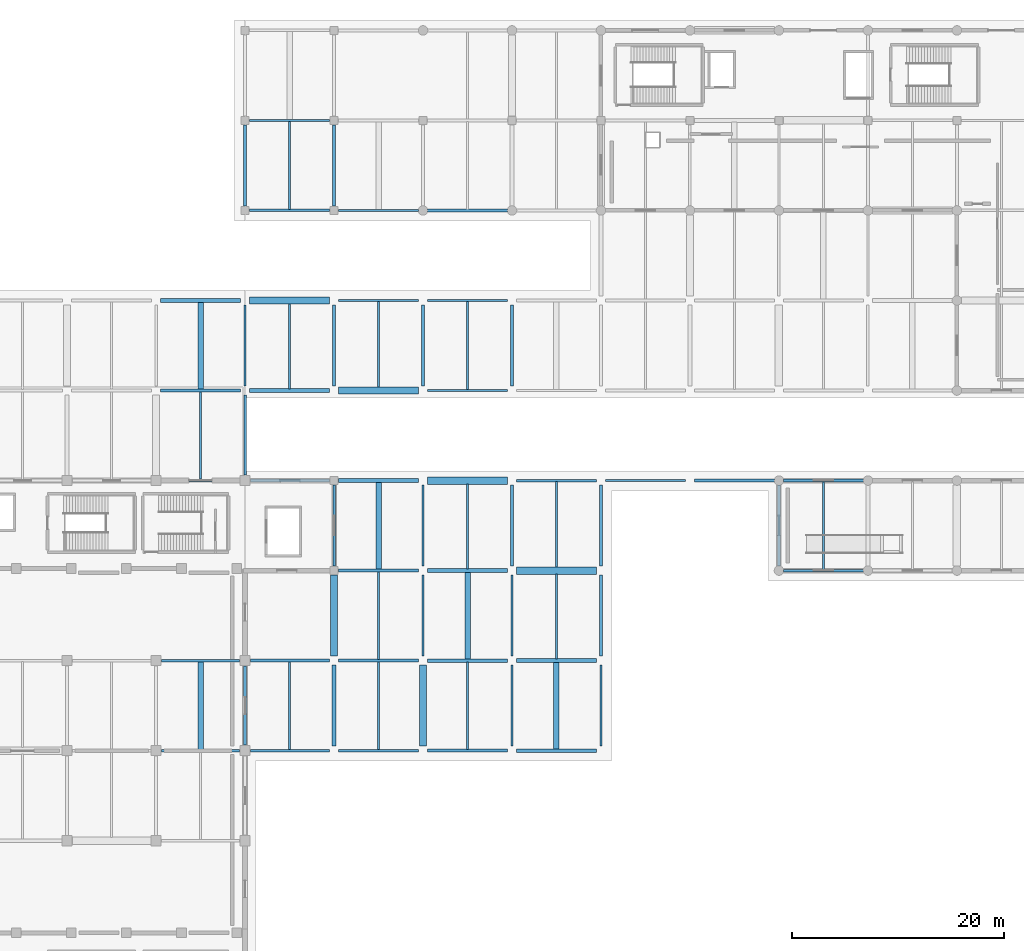
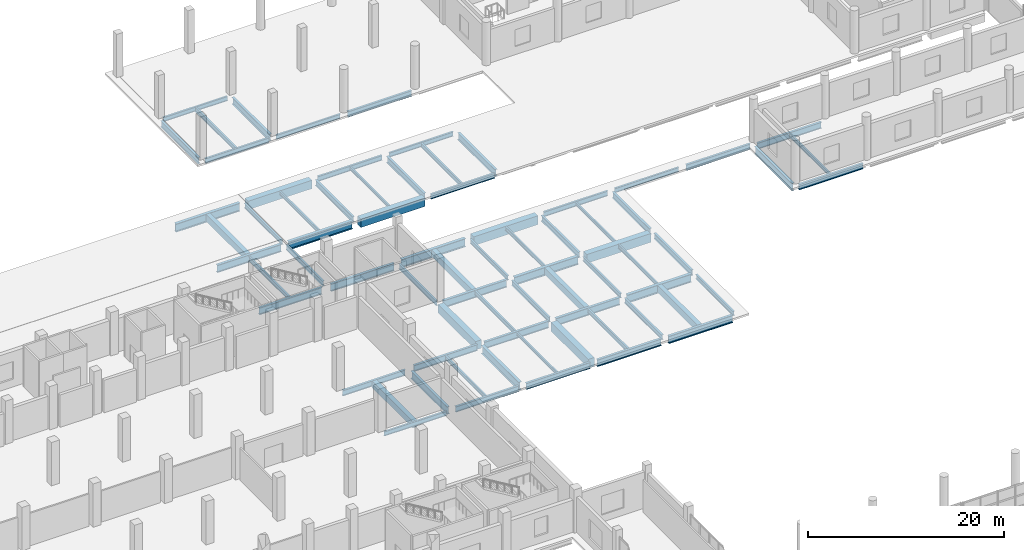
# One storey, part 60 of 107: 73 beams.
"""IFC4 building model written with IfcOpenShell, lengths in metres."""

from ifc_helpers import new_model, si_unit, direction, frame, origin, origin_2d, place, context, subcontext, project, spatial, rectangle, i_section, extrude, material, material_profile, profile_set, type_object, element, save


model = new_model("IFC4")

# Units and contexts
model_context = context("Model", 3, precision=1e-05, world=origin(), true_north=direction((0.0, 1.0)))
body_context = subcontext(model_context, "Body", "Model", "MODEL_VIEW")
ifc_project = project(units=[si_unit("LENGTHUNIT", "METRE"), si_unit("AREAUNIT", "SQUARE_METRE"), si_unit("VOLUMEUNIT", "CUBIC_METRE"), si_unit("PLANEANGLEUNIT", "RADIAN"), si_unit("MASSUNIT", "GRAM", prefix="KILO")], contexts=[model_context])

# Site, building, storey
site_placement = place(None, origin())
site = spatial("IfcSite", under=ifc_project, at=site_placement, CompositionType="ELEMENT")
building_placement = place(site_placement, origin())
building = spatial("IfcBuilding", under=site, at=building_placement, Name="Solvento Point Concert Hall", CompositionType="ELEMENT")
storey_placement = place(building_placement, origin())
storey = spatial("IfcBuildingStorey", under=building, at=storey_placement, Name="L00", CompositionType="ELEMENT", Elevation=0.0)

# Beams
ifc_material_1 = material(Name="Concrete C35/45", Category="concrete")
ifc_material_profile_1 = material_profile(ifc_material_1, rectangle(XDim=0.52001953125, YDim=0.840087890625, at=origin_2d()), Name="RC-BM-520X840")
ifc_profile_set_1 = profile_set([ifc_material_profile_1], Name="Concrete C35/45")
beam_type_1 = type_object("IfcBeamType", Name="Beam_RC_520x840", PredefinedType="BEAM", material=ifc_profile_set_1)
beam_1_placement = place(storey_placement, frame((129.0, 68.092041015625, -0.85400390625), z_axis=(0.0, 1.0, 0.0), x_axis=(-1.0, 0.0, 0.0)))
element("IfcBeam", 1, at=beam_1_placement, inside=storey, type_object=beam_type_1, Name="Secondary floor joist B-54 L00", PredefinedType="BEAM", context=body_context, shape_type="SweptSolid", body=[
    extrude(rectangle(XDim=0.52001953125, YDim=0.840087890625, at=origin_2d()), origin(), (0.0, 0.0, 1.0), 8.294921875),
])
for number, where, z_axis, x_axis, name in (
    (2, (129.0, 102.138916015625, -0.6640625), (0.0, 1.0, 0.0), (-1.0, 0.0, 0.0), "Secondary floor joist B-54 L00"),
    (3, (145.800048828125, 85.138916015625, -0.6640625), (0.0, 1.0, 0.0), (-1.0, 0.0, 0.0), "Secondary floor joist B-54 L00"),
    (4, (154.199951171875, 76.638916015625, -0.6640625), (0.0, 1.0, 0.0), (-1.0, 0.0, 0.0), "Secondary floor joist B-54 L00"),
    (5, (162.60009765625, 68.138916015625, -0.6640625), (0.0, 1.0, 0.0), (-1.0, 0.0, 0.0), "Secondary floor joist B-54 L00"),
):
    element("IfcBeam", number, at=place(storey_placement, frame(where, z_axis=z_axis, x_axis=x_axis)), inside=storey, type_object=beam_type_1, Name=name, PredefinedType="BEAM", context=body_context, shape_type="SweptSolid", body=[
        extrude(rectangle(XDim=0.52001953125, YDim=0.840087890625, at=origin_2d()), origin(), (0.0, 0.0, 1.0), 8.195556640625),
    ])
ifc_material_2 = material(Name="Structural Steel ASTM A992 Grade 50", Category="steel")
ifc_material_profile_2 = material_profile(ifc_material_2, i_section(OverallWidth=0.20947265625, OverallDepth=0.532958984375, WebThickness=0.01025390625, FlangeThickness=0.015625, at=origin_2d()), Name="W21X62")
ifc_profile_set_2 = profile_set([ifc_material_profile_2], Name="Structural Steel ASTM A992 Grade 50")
beam_type_2 = type_object("IfcBeamType", Name="Beam_W21X62", PredefinedType="BEAM", material=ifc_profile_set_2)
beam_2_placement = place(storey_placement, frame((129.0, 93.631103515625, -0.700439453125), z_axis=(0.0, 1.0, 0.0), x_axis=(-1.0, 0.0, 0.0)))
element("IfcBeam", 6, at=beam_2_placement, inside=storey, type_object=beam_type_2, Name="Secondary floor joist B-25 L00", PredefinedType="BEAM", context=body_context, shape_type="SweptSolid", body=[
    extrude(i_section(OverallWidth=0.20947265625, OverallDepth=0.532958984375, WebThickness=0.01025390625, FlangeThickness=0.015625, at=origin_2d()), origin(), (0.0, 0.0, 1.0), 8.22998046875),
])
beam_3_placement = place(storey_placement, frame((137.39990234375, 119.09912109375, -0.510498046875), z_axis=(0.0, 1.0, 0.0), x_axis=(-1.0, 0.0, 0.0)))
element("IfcBeam", 7, at=beam_3_placement, inside=storey, type_object=beam_type_2, Name="Secondary floor joist B-25 L00", PredefinedType="BEAM", context=body_context, shape_type="SweptSolid", body=[
    extrude(i_section(OverallWidth=0.20947265625, OverallDepth=0.532958984375, WebThickness=0.01025390625, FlangeThickness=0.015625, at=origin_2d()), origin(), (0.0, 0.0, 1.0), 8.308837890625),
])
for number, where, z_axis, x_axis, name in (
    (8, (145.800048828125, 76.631103515625, -0.510498046875), (0.0, 1.0, 0.0), (-1.0, 0.0, 0.0), "Secondary floor joist B-25 L00"),
    (9, (154.199951171875, 68.131103515625, -0.510498046875), (0.0, 1.0, 0.0), (-1.0, 0.0, 0.0), "Secondary floor joist B-25 L00"),
):
    element("IfcBeam", number, at=place(storey_placement, frame(where, z_axis=z_axis, x_axis=x_axis)), inside=storey, type_object=beam_type_2, Name=name, PredefinedType="BEAM", context=body_context, shape_type="SweptSolid", body=[
        extrude(i_section(OverallWidth=0.20947265625, OverallDepth=0.532958984375, WebThickness=0.01025390625, FlangeThickness=0.015625, at=origin_2d()), origin(), (0.0, 0.0, 1.0), 8.22998046875),
    ])
beam_4_placement = place(storey_placement, frame((154.199951171875, 102.09912109375, -0.510498046875), z_axis=(0.0, 1.0, 0.0), x_axis=(-1.0, 0.0, 0.0)))
element("IfcBeam", 10, at=beam_4_placement, inside=storey, type_object=beam_type_2, Name="Secondary floor joist B-25 L00", PredefinedType="BEAM", context=body_context, shape_type="SweptSolid", body=[
    extrude(i_section(OverallWidth=0.20947265625, OverallDepth=0.532958984375, WebThickness=0.01025390625, FlangeThickness=0.015625, at=origin_2d()), origin(), (0.0, 0.0, 1.0), 8.308837890625),
])
ifc_material_3 = material(Name="Structural Steel ASTM A992 Grade 50", Category="steel")
ifc_material_profile_3 = material_profile(ifc_material_3, i_section(OverallWidth=0.214111328125, OverallDepth=0.549072265625, WebThickness=0.0146484375, FlangeThickness=0.023681640625, at=origin_2d()), Name="W21X93")
ifc_profile_set_3 = profile_set([ifc_material_profile_3], Name="Structural Steel ASTM A992 Grade 50")
beam_type_3 = type_object("IfcBeamType", Name="Beam_W21X93", PredefinedType="BEAM", material=ifc_profile_set_3)
beam_5_placement = place(storey_placement, frame((125.2939453125, 68.0, -0.70849609375), z_axis=(1.0, 0.0, 0.0), x_axis=(0.0, 1.0, 0.0)))
element("IfcBeam", 11, at=beam_5_placement, inside=storey, type_object=beam_type_3, Name="Primary girder B-48 L00", PredefinedType="BEAM", context=body_context, shape_type="SweptSolid", body=[
    extrude(i_section(OverallWidth=0.214111328125, OverallDepth=0.549072265625, WebThickness=0.0146484375, FlangeThickness=0.023681640625, at=origin_2d()), origin(), (0.0, 0.0, 1.0), 7.386962890625),
])
beam_6_placement = place(storey_placement, frame((167.22412109375, 93.5, -0.5185546875), z_axis=(1.0, 0.0, 0.0), x_axis=(0.0, 1.0, 0.0)))
element("IfcBeam", 12, at=beam_6_placement, inside=storey, type_object=beam_type_3, Name="Primary girder B-48 L00", PredefinedType="BEAM", context=body_context, shape_type="SweptSolid", body=[
    extrude(i_section(OverallWidth=0.214111328125, OverallDepth=0.549072265625, WebThickness=0.0146484375, FlangeThickness=0.023681640625, at=origin_2d()), origin(), (0.0, 0.0, 1.0), 7.5517578125),
])
for number, where, z_axis, x_axis, name in (
    (13, (150.424072265625, 110.5, -0.5185546875), (1.0, 0.0, 0.0), (0.0, 1.0, 0.0), "Primary girder B-48 L00"),
    (14, (142.02392578125, 119.0, -0.5185546875), (1.0, 0.0, 0.0), (0.0, 1.0, 0.0), "Primary girder B-48 L00"),
    (15, (133.6240234375, 127.5, -0.5185546875), (1.0, 0.0, 0.0), (0.0, 1.0, 0.0), "Primary girder B-48 L00"),
):
    element("IfcBeam", number, at=place(storey_placement, frame(where, z_axis=z_axis, x_axis=x_axis)), inside=storey, type_object=beam_type_3, Name=name, PredefinedType="BEAM", context=body_context, shape_type="SweptSolid", body=[
        extrude(i_section(OverallWidth=0.214111328125, OverallDepth=0.549072265625, WebThickness=0.0146484375, FlangeThickness=0.023681640625, at=origin_2d()), origin(), (0.0, 0.0, 1.0), 7.552001953125),
    ])
for number, where, z_axis, x_axis, name in (
    (16, (133.199951171875, 102.424072265625, -0.5185546875), (0.0, 1.0, 0.0), (-1.0, 0.0, 0.0), "Primary girder B-48 L00"),
    (17, (150.0, 85.424072265625, -0.5185546875), (0.0, 1.0, 0.0), (-1.0, 0.0, 0.0), "Primary girder B-48 L00"),
    (18, (158.39990234375, 76.924072265625, -0.5185546875), (0.0, 1.0, 0.0), (-1.0, 0.0, 0.0), "Primary girder B-48 L00"),
    (19, (166.800048828125, 68.424072265625, -0.5185546875), (0.0, 1.0, 0.0), (-1.0, 0.0, 0.0), "Primary girder B-48 L00"),
):
    element("IfcBeam", number, at=place(storey_placement, frame(where, z_axis=z_axis, x_axis=x_axis)), inside=storey, type_object=beam_type_3, Name=name, PredefinedType="BEAM", context=body_context, shape_type="SweptSolid", body=[
        extrude(i_section(OverallWidth=0.214111328125, OverallDepth=0.549072265625, WebThickness=0.0146484375, FlangeThickness=0.023681640625, at=origin_2d()), origin(), (0.0, 0.0, 1.0), 7.65185546875),
    ])
ifc_material_4 = material(Name="Structural Steel ASTM A992 Grade 50", Category="steel")
ifc_material_profile_4 = material_profile(ifc_material_4, i_section(OverallWidth=0.228515625, OverallDepth=0.60791015625, WebThickness=0.01123046875, FlangeThickness=0.017333984375, at=origin_2d()), Name="W24X76")
ifc_profile_set_4 = profile_set([ifc_material_profile_4], Name="Structural Steel ASTM A992 Grade 50")
beam_type_4 = type_object("IfcBeamType", Name="Beam_W24X76", PredefinedType="BEAM", material=ifc_profile_set_4)
for number, where, z_axis, x_axis, name in (
    (20, (158.823974609375, 93.5, -0.548095703125), (1.0, 0.0, 0.0), (0.0, 1.0, 0.0), "Primary girder B-42 L00"),
    (21, (150.424072265625, 102.0, -0.548095703125), (1.0, 0.0, 0.0), (0.0, 1.0, 0.0), "Primary girder B-42 L00"),
    (22, (142.02392578125, 110.5, -0.548095703125), (1.0, 0.0, 0.0), (0.0, 1.0, 0.0), "Primary girder B-42 L00"),
    (23, (133.6240234375, 119.0, -0.548095703125), (1.0, 0.0, 0.0), (0.0, 1.0, 0.0), "Primary girder B-42 L00"),
):
    element("IfcBeam", number, at=place(storey_placement, frame(where, z_axis=z_axis, x_axis=x_axis)), inside=storey, type_object=beam_type_4, Name=name, PredefinedType="BEAM", context=body_context, shape_type="SweptSolid", body=[
        extrude(i_section(OverallWidth=0.228515625, OverallDepth=0.60791015625, WebThickness=0.01123046875, FlangeThickness=0.017333984375, at=origin_2d()), origin(), (0.0, 0.0, 1.0), 7.552001953125),
    ])
beam_7_placement = place(storey_placement, frame((133.199951171875, 94.01904296875, -0.548095703125), z_axis=(0.0, 1.0, 0.0), x_axis=(-1.0, 0.0, 0.0)))
element("IfcBeam", 24, at=beam_7_placement, inside=storey, type_object=beam_type_4, Name="Primary girder B-42 L00", PredefinedType="BEAM", context=body_context, shape_type="SweptSolid", body=[
    extrude(i_section(OverallWidth=0.228515625, OverallDepth=0.60791015625, WebThickness=0.01123046875, FlangeThickness=0.017333984375, at=origin_2d()), origin(), (0.0, 0.0, 1.0), 7.556884765625),
])
for number, where, z_axis, x_axis, name in (
    (25, (141.60009765625, 85.424072265625, -0.718017578125), (0.0, 1.0, 0.0), (-1.0, 0.0, 0.0), "Primary girder B-42 L00"),
    (26, (150.0, 76.924072265625, -0.548095703125), (0.0, 1.0, 0.0), (-1.0, 0.0, 0.0), "Primary girder B-42 L00"),
    (27, (158.39990234375, 68.424072265625, -0.548095703125), (0.0, 1.0, 0.0), (-1.0, 0.0, 0.0), "Primary girder B-42 L00"),
):
    element("IfcBeam", number, at=place(storey_placement, frame(where, z_axis=z_axis, x_axis=x_axis)), inside=storey, type_object=beam_type_4, Name=name, PredefinedType="BEAM", context=body_context, shape_type="SweptSolid", body=[
        extrude(i_section(OverallWidth=0.228515625, OverallDepth=0.60791015625, WebThickness=0.01123046875, FlangeThickness=0.017333984375, at=origin_2d()), origin(), (0.0, 0.0, 1.0), 7.65185546875),
    ])
ifc_material_5 = material(Name="Concrete C35/45", Category="concrete")
ifc_material_profile_5 = material_profile(ifc_material_5, rectangle(XDim=0.679931640625, YDim=1.050048828125, at=origin_2d()), Name="RC-BM-680X1050")
ifc_profile_set_5 = profile_set([ifc_material_profile_5], Name="Concrete C35/45")
beam_type_5 = type_object("IfcBeamType", Name="Girder_RC_680x1050", PredefinedType="USERDEFINED", material=ifc_profile_set_5)
for number, where, z_axis, x_axis, name in (
    (28, (142.02392578125, 102.0, -0.76904296875), (1.0, 0.0, 0.0), (0.0, 1.0, 0.0), "Primary girder B-91 L00"),
    (29, (133.6240234375, 110.5, -0.76904296875), (1.0, 0.0, 0.0), (0.0, 1.0, 0.0), "Primary girder B-91 L00"),
):
    element("IfcBeam", number, at=place(storey_placement, frame(where, z_axis=z_axis, x_axis=x_axis)), inside=storey, type_object=beam_type_5, Name=name, ObjectType="GIRDER", PredefinedType="USERDEFINED", context=body_context, shape_type="SweptSolid", body=[
        extrude(rectangle(XDim=0.679931640625, YDim=1.050048828125, at=origin_2d()), origin(), (0.0, 0.0, 1.0), 7.552001953125),
    ])
beam_8_placement = place(storey_placement, frame((141.60009765625, 76.924072265625, -0.76904296875), z_axis=(0.0, 1.0, 0.0), x_axis=(-1.0, 0.0, 0.0)))
element("IfcBeam", 30, at=beam_8_placement, inside=storey, type_object=beam_type_5, Name="Primary girder B-91 L00", ObjectType="GIRDER", PredefinedType="USERDEFINED", context=body_context, shape_type="SweptSolid", body=[
    extrude(rectangle(XDim=0.679931640625, YDim=1.050048828125, at=origin_2d()), origin(), (0.0, 0.0, 1.0), 7.65185546875),
])
ifc_material_6 = material(Name="Concrete C35/45", Category="concrete")
ifc_material_profile_6 = material_profile(ifc_material_6, rectangle(XDim=0.699951171875, YDim=1.10009765625, at=origin_2d()), Name="RC-BM-700X1100")
ifc_profile_set_6 = profile_set([ifc_material_profile_6], Name="Concrete C35/45")
beam_type_6 = type_object("IfcBeamType", Name="Girder_RC_700x1100", PredefinedType="USERDEFINED", material=ifc_profile_set_6)
for number, where, z_axis, x_axis, name in (
    (31, (158.823974609375, 85.0, -0.7939453125), (1.0, 0.0, 0.0), (0.0, 1.0, 0.0), "Primary girder B-49 L00"),
    (32, (150.424072265625, 93.5, -0.7939453125), (1.0, 0.0, 0.0), (0.0, 1.0, 0.0), "Primary girder B-49 L00"),
):
    element("IfcBeam", number, at=place(storey_placement, frame(where, z_axis=z_axis, x_axis=x_axis)), inside=storey, type_object=beam_type_6, Name=name, ObjectType="GIRDER", PredefinedType="USERDEFINED", context=body_context, shape_type="SweptSolid", body=[
        extrude(rectangle(XDim=0.699951171875, YDim=1.10009765625, at=origin_2d()), origin(), (0.0, 0.0, 1.0), 7.552001953125),
    ])
beam_9_placement = place(storey_placement, frame((150.0, 68.424072265625, -0.7939453125), z_axis=(0.0, 1.0, 0.0), x_axis=(-1.0, 0.0, 0.0)))
element("IfcBeam", 33, at=beam_9_placement, inside=storey, type_object=beam_type_6, Name="Primary girder B-49 L00", ObjectType="GIRDER", PredefinedType="USERDEFINED", context=body_context, shape_type="SweptSolid", body=[
    extrude(rectangle(XDim=0.699951171875, YDim=1.10009765625, at=origin_2d()), origin(), (0.0, 0.0, 1.0), 7.65185546875),
])
ifc_material_7 = material(Name="Structural Steel ASTM A992 Grade 50", Category="steel")
ifc_material_profile_7 = material_profile(ifc_material_7, i_section(OverallWidth=0.256103515625, OverallDepth=0.693115234375, WebThickness=0.014404296875, FlangeThickness=0.023681640625, at=origin_2d()), Name="W27X114")
ifc_profile_set_7 = profile_set([ifc_material_profile_7], Name="Structural Steel ASTM A992 Grade 50")
beam_type_7 = type_object("IfcBeamType", Name="Girder_W27X114", PredefinedType="USERDEFINED", material=ifc_profile_set_7)
beam_10_placement = place(storey_placement, frame((133.718994140625, 68.0, -0.590576171875), z_axis=(1.0, 0.0, 0.0), x_axis=(0.0, 1.0, 0.0)))
element("IfcBeam", 34, at=beam_10_placement, inside=storey, type_object=beam_type_7, Name="Primary girder B-23 L00", ObjectType="GIRDER", PredefinedType="USERDEFINED", context=body_context, shape_type="SweptSolid", body=[
    extrude(i_section(OverallWidth=0.256103515625, OverallDepth=0.693115234375, WebThickness=0.014404296875, FlangeThickness=0.023681640625, at=origin_2d()), origin(), (0.0, 0.0, 1.0), 7.45703125),
])
beam_11_placement = place(storey_placement, frame((125.2939453125, 76.5, -0.780517578125), z_axis=(1.0, 0.0, 0.0), x_axis=(0.0, 1.0, 0.0)))
element("IfcBeam", 35, at=beam_11_placement, inside=storey, type_object=beam_type_7, Name="Primary girder B-23 L00", ObjectType="GIRDER", PredefinedType="USERDEFINED", context=body_context, shape_type="SweptSolid", body=[
    extrude(i_section(OverallWidth=0.256103515625, OverallDepth=0.693115234375, WebThickness=0.014404296875, FlangeThickness=0.023681640625, at=origin_2d()), origin(), (0.0, 0.0, 1.0), 7.386962890625),
])
for number, where, z_axis, x_axis, name in (
    (36, (184.02392578125, 85.0, -0.810546875), (1.0, 0.0, 0.0), (0.0, 1.0, 0.0), "Primary girder B-23 L00"),
    (37, (175.6240234375, 93.5, -0.590576171875), (1.0, 0.0, 0.0), (0.0, 1.0, 0.0), "Primary girder B-23 L00"),
    (38, (150.424072265625, 119.0, -0.590576171875), (1.0, 0.0, 0.0), (0.0, 1.0, 0.0), "Primary girder B-23 L00"),
):
    element("IfcBeam", number, at=place(storey_placement, frame(where, z_axis=z_axis, x_axis=x_axis)), inside=storey, type_object=beam_type_7, Name=name, ObjectType="GIRDER", PredefinedType="USERDEFINED", context=body_context, shape_type="SweptSolid", body=[
        extrude(i_section(OverallWidth=0.256103515625, OverallDepth=0.693115234375, WebThickness=0.014404296875, FlangeThickness=0.023681640625, at=origin_2d()), origin(), (0.0, 0.0, 1.0), 7.552001953125),
    ])
for number, where, z_axis, x_axis, name in (
    (39, (141.60009765625, 102.424072265625, -0.590576171875), (0.0, 1.0, 0.0), (-1.0, 0.0, 0.0), "Primary girder B-23 L00"),
    (40, (158.39990234375, 85.424072265625, -0.590576171875), (0.0, 1.0, 0.0), (-1.0, 0.0, 0.0), "Primary girder B-23 L00"),
    (41, (166.800048828125, 76.924072265625, -0.590576171875), (0.0, 1.0, 0.0), (-1.0, 0.0, 0.0), "Primary girder B-23 L00"),
):
    element("IfcBeam", number, at=place(storey_placement, frame(where, z_axis=z_axis, x_axis=x_axis)), inside=storey, type_object=beam_type_7, Name=name, ObjectType="GIRDER", PredefinedType="USERDEFINED", context=body_context, shape_type="SweptSolid", body=[
        extrude(i_section(OverallWidth=0.256103515625, OverallDepth=0.693115234375, WebThickness=0.014404296875, FlangeThickness=0.023681640625, at=origin_2d()), origin(), (0.0, 0.0, 1.0), 7.65185546875),
    ])
ifc_material_8 = material(Name="Structural Steel ASTM A992 Grade 50", Category="steel")
ifc_material_profile_8 = material_profile(ifc_material_8, i_section(OverallWidth=0.26806640625, OverallDepth=0.77001953125, WebThickness=0.015625, FlangeThickness=0.025390625, at=origin_2d()), Name="W30X132")
ifc_profile_set_8 = profile_set([ifc_material_profile_8], Name="Structural Steel ASTM A992 Grade 50")
beam_type_8 = type_object("IfcBeamType", Name="Girder_W30X132", PredefinedType="USERDEFINED", material=ifc_profile_set_8)
beam_12_placement = place(storey_placement, frame((142.02392578125, 68.0, -0.62890625), z_axis=(1.0, 0.0, 0.0), x_axis=(0.0, 1.0, 0.0)))
element("IfcBeam", 42, at=beam_12_placement, inside=storey, type_object=beam_type_8, Name="Primary girder B-68 L00", ObjectType="GIRDER", PredefinedType="USERDEFINED", context=body_context, shape_type="SweptSolid", body=[
    extrude(i_section(OverallWidth=0.26806640625, OverallDepth=0.77001953125, WebThickness=0.015625, FlangeThickness=0.025390625, at=origin_2d()), origin(), (0.0, 0.0, 1.0), 7.552001953125),
])
beam_13_placement = place(storey_placement, frame((133.718994140625, 76.5, -0.62890625), z_axis=(1.0, 0.0, 0.0), x_axis=(0.0, 1.0, 0.0)))
element("IfcBeam", 43, at=beam_13_placement, inside=storey, type_object=beam_type_8, Name="Primary girder B-68 L00", ObjectType="GIRDER", PredefinedType="USERDEFINED", context=body_context, shape_type="SweptSolid", body=[
    extrude(i_section(OverallWidth=0.26806640625, OverallDepth=0.77001953125, WebThickness=0.015625, FlangeThickness=0.025390625, at=origin_2d()), origin(), (0.0, 0.0, 1.0), 7.45703125),
])
beam_14_placement = place(storey_placement, frame((184.02392578125, 93.5, -0.84912109375), z_axis=(1.0, 0.0, 0.0), x_axis=(0.0, 1.0, 0.0)))
element("IfcBeam", 44, at=beam_14_placement, inside=storey, type_object=beam_type_8, Name="Primary girder B-68 L00", ObjectType="GIRDER", PredefinedType="USERDEFINED", context=body_context, shape_type="SweptSolid", body=[
    extrude(i_section(OverallWidth=0.26806640625, OverallDepth=0.77001953125, WebThickness=0.015625, FlangeThickness=0.025390625, at=origin_2d()), origin(), (0.0, 0.0, 1.0), 7.552001953125),
])
for number, where, z_axis, x_axis, name in (
    (45, (133.199951171875, 119.424072265625, -0.62890625), (0.0, 1.0, 0.0), (-1.0, 0.0, 0.0), "Primary girder B-68 L00"),
    (46, (150.0, 102.424072265625, -0.62890625), (0.0, 1.0, 0.0), (-1.0, 0.0, 0.0), "Primary girder B-68 L00"),
    (47, (166.800048828125, 85.424072265625, -0.62890625), (0.0, 1.0, 0.0), (-1.0, 0.0, 0.0), "Primary girder B-68 L00"),
):
    element("IfcBeam", number, at=place(storey_placement, frame(where, z_axis=z_axis, x_axis=x_axis)), inside=storey, type_object=beam_type_8, Name=name, ObjectType="GIRDER", PredefinedType="USERDEFINED", context=body_context, shape_type="SweptSolid", body=[
        extrude(i_section(OverallWidth=0.26806640625, OverallDepth=0.77001953125, WebThickness=0.015625, FlangeThickness=0.025390625, at=origin_2d()), origin(), (0.0, 0.0, 1.0), 7.65185546875),
    ])
ifc_material_9 = material(Name="Structural Steel ASTM A992 Grade 50", Category="steel")
ifc_material_profile_9 = material_profile(ifc_material_9, i_section(OverallWidth=0.2919921875, OverallDepth=0.85888671875, WebThickness=0.01708984375, FlangeThickness=0.031005859375, at=origin_2d()), Name="W33X169")
ifc_profile_set_9 = profile_set([ifc_material_profile_9], Name="Structural Steel ASTM A992 Grade 50")
beam_type_9 = type_object("IfcBeamType", Name="Girder_W33X169", PredefinedType="USERDEFINED", material=ifc_profile_set_9)
for number, where, z_axis, x_axis, name in (
    (48, (150.424072265625, 68.0, -0.673583984375), (1.0, 0.0, 0.0), (0.0, 1.0, 0.0), "Primary girder B-33 L00"),
    (49, (142.02392578125, 76.5, -0.673583984375), (1.0, 0.0, 0.0), (0.0, 1.0, 0.0), "Primary girder B-33 L00"),
):
    element("IfcBeam", number, at=place(storey_placement, frame(where, z_axis=z_axis, x_axis=x_axis)), inside=storey, type_object=beam_type_9, Name=name, ObjectType="GIRDER", PredefinedType="USERDEFINED", context=body_context, shape_type="SweptSolid", body=[
        extrude(i_section(OverallWidth=0.2919921875, OverallDepth=0.85888671875, WebThickness=0.01708984375, FlangeThickness=0.031005859375, at=origin_2d()), origin(), (0.0, 0.0, 1.0), 7.552001953125),
    ])
beam_15_placement = place(storey_placement, frame((125.2939453125, 93.5, -0.863525390625), z_axis=(1.0, 0.0, 0.0), x_axis=(0.0, 1.0, 0.0)))
element("IfcBeam", 50, at=beam_15_placement, inside=storey, type_object=beam_type_9, Name="Primary girder B-33 L00", ObjectType="GIRDER", PredefinedType="USERDEFINED", context=body_context, shape_type="SweptSolid", body=[
    extrude(i_section(OverallWidth=0.2919921875, OverallDepth=0.85888671875, WebThickness=0.01708984375, FlangeThickness=0.031005859375, at=origin_2d()), origin(), (0.0, 0.0, 1.0), 7.386962890625),
])
for number, where, z_axis, x_axis, name in (
    (51, (141.60009765625, 119.424072265625, -0.673583984375), (0.0, 1.0, 0.0), (-1.0, 0.0, 0.0), "Primary girder B-33 L00"),
    (52, (158.39990234375, 102.424072265625, -0.673583984375), (0.0, 1.0, 0.0), (-1.0, 0.0, 0.0), "Primary girder B-33 L00"),
):
    element("IfcBeam", number, at=place(storey_placement, frame(where, z_axis=z_axis, x_axis=x_axis)), inside=storey, type_object=beam_type_9, Name=name, ObjectType="GIRDER", PredefinedType="USERDEFINED", context=body_context, shape_type="SweptSolid", body=[
        extrude(i_section(OverallWidth=0.2919921875, OverallDepth=0.85888671875, WebThickness=0.01708984375, FlangeThickness=0.031005859375, at=origin_2d()), origin(), (0.0, 0.0, 1.0), 7.65185546875),
    ])
ifc_material_10 = material(Name="Structural Steel ASTM A992 Grade 50", Category="steel")
ifc_material_profile_10 = material_profile(ifc_material_10, i_section(OverallWidth=0.3076171875, OverallDepth=0.927001953125, WebThickness=0.019287109375, FlangeThickness=0.031982421875, at=origin_2d()), Name="W36X194")
ifc_profile_set_10 = profile_set([ifc_material_profile_10], Name="Structural Steel ASTM A992 Grade 50")
beam_type_10 = type_object("IfcBeamType", Name="Girder_W36X194", PredefinedType="USERDEFINED", material=ifc_profile_set_10)
for number, where, z_axis, x_axis, name in (
    (53, (158.823974609375, 68.0, -0.70751953125), (1.0, 0.0, 0.0), (0.0, 1.0, 0.0), "Primary girder B-61 L00"),
    (54, (150.424072265625, 76.5, -0.70751953125), (1.0, 0.0, 0.0), (0.0, 1.0, 0.0), "Primary girder B-61 L00"),
    (55, (142.02392578125, 85.0, -0.70751953125), (1.0, 0.0, 0.0), (0.0, 1.0, 0.0), "Primary girder B-61 L00"),
):
    element("IfcBeam", number, at=place(storey_placement, frame(where, z_axis=z_axis, x_axis=x_axis)), inside=storey, type_object=beam_type_10, Name=name, ObjectType="GIRDER", PredefinedType="USERDEFINED", context=body_context, shape_type="SweptSolid", body=[
        extrude(i_section(OverallWidth=0.3076171875, OverallDepth=0.927001953125, WebThickness=0.019287109375, FlangeThickness=0.031982421875, at=origin_2d()), origin(), (0.0, 0.0, 1.0), 7.552001953125),
    ])
beam_16_placement = place(storey_placement, frame((133.718994140625, 93.5, -0.87744140625), z_axis=(1.0, 0.0, 0.0), x_axis=(0.0, 1.0, 0.0)))
element("IfcBeam", 56, at=beam_16_placement, inside=storey, type_object=beam_type_10, Name="Primary girder B-61 L00", ObjectType="GIRDER", PredefinedType="USERDEFINED", context=body_context, shape_type="SweptSolid", body=[
    extrude(i_section(OverallWidth=0.3076171875, OverallDepth=0.927001953125, WebThickness=0.019287109375, FlangeThickness=0.031982421875, at=origin_2d()), origin(), (0.0, 0.0, 1.0), 7.45703125),
])
beam_17_placement = place(storey_placement, frame((125.22412109375, 102.0, -0.70751953125), z_axis=(1.0, 0.0, 0.0), x_axis=(0.0, 1.0, 0.0)))
element("IfcBeam", 57, at=beam_17_placement, inside=storey, type_object=beam_type_10, Name="Primary girder B-61 L00", ObjectType="GIRDER", PredefinedType="USERDEFINED", context=body_context, shape_type="SweptSolid", body=[
    extrude(i_section(OverallWidth=0.3076171875, OverallDepth=0.927001953125, WebThickness=0.019287109375, FlangeThickness=0.031982421875, at=origin_2d()), origin(), (0.0, 0.0, 1.0), 7.5517578125),
])
beam_18_placement = place(storey_placement, frame((133.199951171875, 68.51904296875, -0.8974609375), z_axis=(0.0, 1.0, 0.0), x_axis=(-1.0, 0.0, 0.0)))
element("IfcBeam", 58, at=beam_18_placement, inside=storey, type_object=beam_type_10, Name="Primary girder B-61 L00", ObjectType="GIRDER", PredefinedType="USERDEFINED", context=body_context, shape_type="SweptSolid", body=[
    extrude(i_section(OverallWidth=0.3076171875, OverallDepth=0.927001953125, WebThickness=0.019287109375, FlangeThickness=0.031982421875, at=origin_2d()), origin(), (0.0, 0.0, 1.0), 7.4619140625),
])
beam_19_placement = place(storey_placement, frame((183.60009765625, 85.424072265625, -0.927490234375), z_axis=(0.0, 1.0, 0.0), x_axis=(-1.0, 0.0, 0.0)))
element("IfcBeam", 59, at=beam_19_placement, inside=storey, type_object=beam_type_10, Name="Primary girder B-61 L00", ObjectType="GIRDER", PredefinedType="USERDEFINED", context=body_context, shape_type="SweptSolid", body=[
    extrude(i_section(OverallWidth=0.3076171875, OverallDepth=0.927001953125, WebThickness=0.019287109375, FlangeThickness=0.031982421875, at=origin_2d()), origin(), (0.0, 0.0, 1.0), 7.65185546875),
])
ifc_material_11 = material(Name="Structural Steel ASTM A992 Grade 50", Category="steel")
ifc_material_profile_11 = material_profile(ifc_material_11, i_section(OverallWidth=0.361083984375, OverallDepth=1.02587890625, WebThickness=0.01904296875, FlangeThickness=0.0361328125, at=origin_2d()), Name="W40X249")
ifc_profile_set_11 = profile_set([ifc_material_profile_11], Name="Structural Steel ASTM A992 Grade 50")
beam_type_11 = type_object("IfcBeamType", Name="Girder_W40X249", PredefinedType="USERDEFINED", material=ifc_profile_set_11)
for number, where, z_axis, x_axis, name in (
    (60, (158.823974609375, 76.5, -0.757080078125), (1.0, 0.0, 0.0), (0.0, 1.0, 0.0), "Primary girder B-29 L00"),
    (61, (150.424072265625, 85.0, -0.757080078125), (1.0, 0.0, 0.0), (0.0, 1.0, 0.0), "Primary girder B-29 L00"),
    (62, (142.02392578125, 93.5, -0.757080078125), (1.0, 0.0, 0.0), (0.0, 1.0, 0.0), "Primary girder B-29 L00"),
    (63, (133.6240234375, 102.0, -0.757080078125), (1.0, 0.0, 0.0), (0.0, 1.0, 0.0), "Primary girder B-29 L00"),
):
    element("IfcBeam", number, at=place(storey_placement, frame(where, z_axis=z_axis, x_axis=x_axis)), inside=storey, type_object=beam_type_11, Name=name, ObjectType="GIRDER", PredefinedType="USERDEFINED", context=body_context, shape_type="SweptSolid", body=[
        extrude(i_section(OverallWidth=0.361083984375, OverallDepth=1.02587890625, WebThickness=0.01904296875, FlangeThickness=0.0361328125, at=origin_2d()), origin(), (0.0, 0.0, 1.0), 7.552001953125),
    ])
beam_20_placement = place(storey_placement, frame((125.22412109375, 110.5, -0.757080078125), z_axis=(1.0, 0.0, 0.0), x_axis=(0.0, 1.0, 0.0)))
element("IfcBeam", 64, at=beam_20_placement, inside=storey, type_object=beam_type_11, Name="Primary girder B-29 L00", ObjectType="GIRDER", PredefinedType="USERDEFINED", context=body_context, shape_type="SweptSolid", body=[
    extrude(i_section(OverallWidth=0.361083984375, OverallDepth=1.02587890625, WebThickness=0.01904296875, FlangeThickness=0.0361328125, at=origin_2d()), origin(), (0.0, 0.0, 1.0), 7.5517578125),
])
beam_21_placement = place(storey_placement, frame((141.60009765625, 68.424072265625, -0.757080078125), z_axis=(0.0, 1.0, 0.0), x_axis=(-1.0, 0.0, 0.0)))
element("IfcBeam", 65, at=beam_21_placement, inside=storey, type_object=beam_type_11, Name="Primary girder B-29 L00", ObjectType="GIRDER", PredefinedType="USERDEFINED", context=body_context, shape_type="SweptSolid", body=[
    extrude(i_section(OverallWidth=0.361083984375, OverallDepth=1.02587890625, WebThickness=0.01904296875, FlangeThickness=0.0361328125, at=origin_2d()), origin(), (0.0, 0.0, 1.0), 7.65185546875),
])
ifc_material_12 = material(Name="Structural Steel ASTM A992 Grade 50", Category="steel")
ifc_material_profile_12 = material_profile(ifc_material_12, i_section(OverallWidth=0.177490234375, OverallDepth=0.403076171875, WebThickness=0.007568359375, FlangeThickness=0.010986328125, at=origin_2d()), Name="W16X36")
ifc_profile_set_12 = profile_set([ifc_material_profile_12], Name="Structural Steel ASTM A992 Grade 50")
beam_type_12 = type_object("IfcBeamType", Name="Joist_W16X36", PredefinedType="JOIST", material=ifc_profile_set_12)
beam_22_placement = place(storey_placement, frame((145.800048828125, 68.118896484375, -0.445556640625), z_axis=(0.0, 1.0, 0.0), x_axis=(-1.0, 0.0, 0.0)))
element("IfcBeam", 66, at=beam_22_placement, inside=storey, type_object=beam_type_12, Name="Secondary floor joist B-30 L00", PredefinedType="JOIST", context=body_context, shape_type="SweptSolid", body=[
    extrude(i_section(OverallWidth=0.177490234375, OverallDepth=0.403076171875, WebThickness=0.007568359375, FlangeThickness=0.010986328125, at=origin_2d()), origin(), (0.0, 0.0, 1.0), 8.25),
])
beam_23_placement = place(storey_placement, frame((145.800048828125, 102.324951171875, -0.445556640625), z_axis=(0.0, 1.0, 0.0), x_axis=(-1.0, 0.0, 0.0)))
element("IfcBeam", 67, at=beam_23_placement, inside=storey, type_object=beam_type_12, Name="Secondary floor joist B-30 L00", PredefinedType="JOIST", context=body_context, shape_type="SweptSolid", body=[
    extrude(i_section(OverallWidth=0.177490234375, OverallDepth=0.403076171875, WebThickness=0.007568359375, FlangeThickness=0.010986328125, at=origin_2d()), origin(), (0.0, 0.0, 1.0), 8.075927734375),
])
beam_24_placement = place(storey_placement, frame((162.60009765625, 85.3349609375, -0.445556640625), z_axis=(0.0, 1.0, 0.0), x_axis=(-1.0, 0.0, 0.0)))
element("IfcBeam", 68, at=beam_24_placement, inside=storey, type_object=beam_type_12, Name="Secondary floor joist B-30 L00", PredefinedType="JOIST", context=body_context, shape_type="SweptSolid", body=[
    extrude(i_section(OverallWidth=0.177490234375, OverallDepth=0.403076171875, WebThickness=0.007568359375, FlangeThickness=0.010986328125, at=origin_2d()), origin(), (0.0, 0.0, 1.0), 8.06591796875),
])
ifc_material_13 = material(Name="Structural Steel ASTM A992 Grade 50", Category="steel")
ifc_material_profile_13 = material_profile(ifc_material_13, i_section(OverallWidth=0.1904296875, OverallDepth=0.45703125, WebThickness=0.009033203125, FlangeThickness=0.014404296875, at=origin_2d()), Name="W18X50")
ifc_profile_set_13 = profile_set([ifc_material_profile_13], Name="Structural Steel ASTM A992 Grade 50")
beam_type_13 = type_object("IfcBeamType", Name="Joist_W18X50", PredefinedType="JOIST", material=ifc_profile_set_13)
beam_25_placement = place(storey_placement, frame((137.39990234375, 68.113037109375, -0.472412109375), z_axis=(0.0, 1.0, 0.0), x_axis=(-1.0, 0.0, 0.0)))
element("IfcBeam", 69, at=beam_25_placement, inside=storey, type_object=beam_type_13, Name="Secondary floor joist B-66 L00", PredefinedType="JOIST", context=body_context, shape_type="SweptSolid", body=[
    extrude(i_section(OverallWidth=0.1904296875, OverallDepth=0.45703125, WebThickness=0.009033203125, FlangeThickness=0.014404296875, at=origin_2d()), origin(), (0.0, 0.0, 1.0), 8.26806640625),
])
beam_26_placement = place(storey_placement, frame((137.39990234375, 102.16552734375, -0.472412109375), z_axis=(0.0, 1.0, 0.0), x_axis=(-1.0, 0.0, 0.0)))
element("IfcBeam", 70, at=beam_26_placement, inside=storey, type_object=beam_type_13, Name="Secondary floor joist B-66 L00", PredefinedType="JOIST", context=body_context, shape_type="SweptSolid", body=[
    extrude(i_section(OverallWidth=0.1904296875, OverallDepth=0.45703125, WebThickness=0.009033203125, FlangeThickness=0.014404296875, at=origin_2d()), origin(), (0.0, 0.0, 1.0), 8.009521484375),
])
for number, where, z_axis, x_axis, name in (
    (71, (154.199951171875, 85.16552734375, -0.472412109375), (0.0, 1.0, 0.0), (-1.0, 0.0, 0.0), "Secondary floor joist B-66 L00"),
    (72, (162.60009765625, 76.66552734375, -0.472412109375), (0.0, 1.0, 0.0), (-1.0, 0.0, 0.0), "Secondary floor joist B-66 L00"),
):
    element("IfcBeam", number, at=place(storey_placement, frame(where, z_axis=z_axis, x_axis=x_axis)), inside=storey, type_object=beam_type_13, Name=name, PredefinedType="JOIST", context=body_context, shape_type="SweptSolid", body=[
        extrude(i_section(OverallWidth=0.1904296875, OverallDepth=0.45703125, WebThickness=0.009033203125, FlangeThickness=0.014404296875, at=origin_2d()), origin(), (0.0, 0.0, 1.0), 7.99951171875),
    ])
beam_27_placement = place(storey_placement, frame((187.800048828125, 85.113037109375, -0.6923828125), z_axis=(0.0, 1.0, 0.0), x_axis=(-1.0, 0.0, 0.0)))
element("IfcBeam", 73, at=beam_27_placement, inside=storey, type_object=beam_type_13, Name="Secondary floor joist B-66 L00", PredefinedType="JOIST", context=body_context, shape_type="SweptSolid", body=[
    extrude(i_section(OverallWidth=0.1904296875, OverallDepth=0.45703125, WebThickness=0.009033203125, FlangeThickness=0.014404296875, at=origin_2d()), origin(), (0.0, 0.0, 1.0), 8.26806640625),
])

save(model, "model.ifc")
